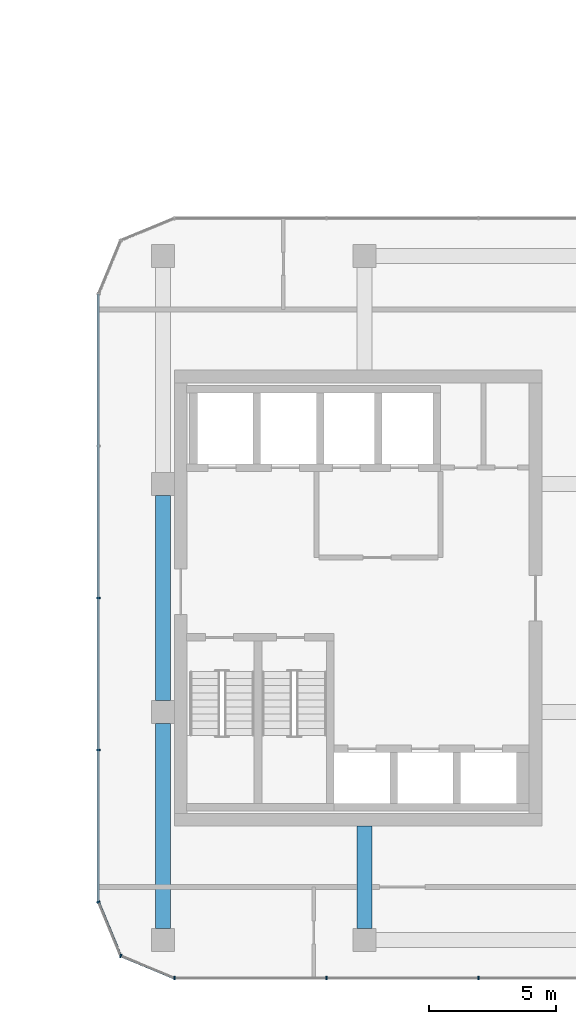
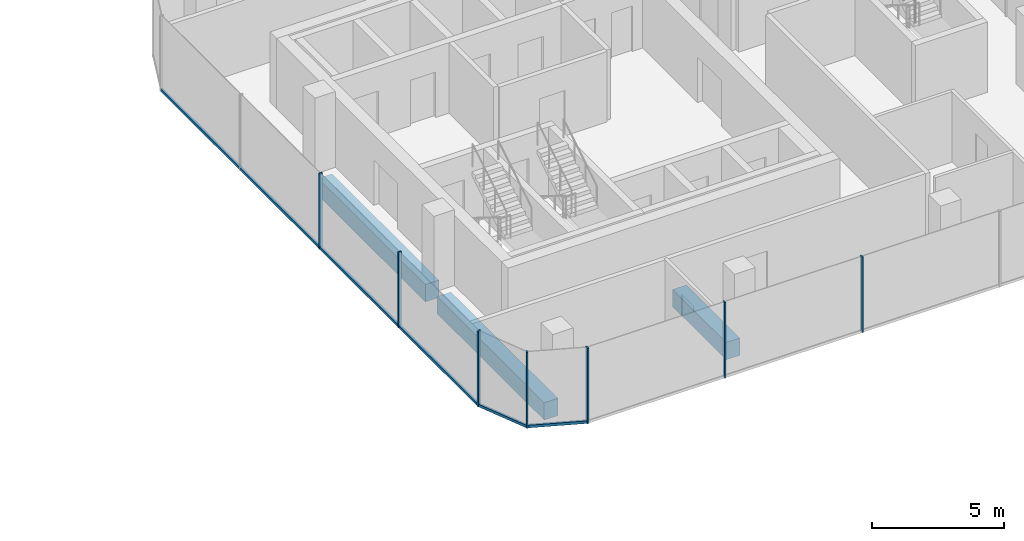
# One storey, part 8 of 24: 10 members, 3 beams, 4 elements without a shape of their own.
"""IFC4 building model written with IfcOpenShell, lengths in metres."""

import ifcopenshell
import ifcopenshell.guid

model = None  # the IFC model being written
_history = None  # IfcOwnerHistory: only IFC2X3 demands one
_inside = {}  # id of a spatial element -> (the spatial element, [elements in it])
_under = {}  # id of a project, library or spatial element -> (it, [spatial elements below it])
_declared = {}  # id of a project -> (the project, [libraries it declares])
_typed = {}  # id of a type object -> (the type object, [elements of that type])
_made_of = {}  # id of a material, layer set ... -> (it, [elements and type objects made of it])


def new_model(schema):
    """Start an empty IFC model of exactly this schema.

    Asked for "IFC4X3", IfcOpenShell would pick the latest addendum, in which some entities
    have other attributes; the version numbers below select the first issue.
    IFC2X3 requires an IfcOwnerHistory on every rooted entity: one is made here for all.
    """
    global model, _history
    if schema == "IFC4X3":
        model = ifcopenshell.file(schema_version=(4, 3, 0, 0))
    else:
        model = ifcopenshell.file(schema=schema)
    _inside.clear()
    _under.clear()
    _declared.clear()
    _typed.clear()
    _made_of.clear()
    _history = None
    if model.schema == "IFC2X3":
        org = make("IfcOrganization", Name="unknown")
        user = make(
            "IfcPersonAndOrganization",
            ThePerson=make("IfcPerson", FamilyName="unknown"),
            TheOrganization=org,
        )
        app = make(
            "IfcApplication",
            ApplicationDeveloper=org,
            Version="unknown",
            ApplicationFullName="unknown",
            ApplicationIdentifier="unknown",
        )
        _history = make(
            "IfcOwnerHistory",
            OwningUser=user,
            OwningApplication=app,
            ChangeAction="ADDED",
            CreationDate=0,
        )
    return model


def make(cls, **values):
    """One entity of the class cls with the attributes given. An attribute that is None is left unset."""
    return model.create_entity(
        cls, **{name: value for name, value in values.items() if value is not None}
    )


def rooted(cls, **values):
    """An entity with a GlobalId (a new one), such as an element, a storey or a relation."""
    return make(cls, GlobalId=ifcopenshell.guid.new(), OwnerHistory=_history, **values)


def si_unit(unit_type, name, prefix=None):
    """IfcSIUnit, for example si_unit("LENGTHUNIT", "METRE", prefix="MILLI")."""
    return make("IfcSIUnit", UnitType=unit_type, Prefix=prefix, Name=name)


def assignment(units):
    """IfcUnitAssignment: the units of a project."""
    return None if units is None else make("IfcUnitAssignment", Units=units)


def point(xyz):
    """IfcCartesianPoint."""
    return None if xyz is None else make("IfcCartesianPoint", Coordinates=xyz)


def direction(xyz):
    """IfcDirection."""
    return None if xyz is None else make("IfcDirection", DirectionRatios=xyz)


def frame(location, z_axis=None, x_axis=None):
    """IfcAxis2Placement3D, a coordinate frame: its origin and axes. An axis left out is left unset."""
    return make(
        "IfcAxis2Placement3D",
        Location=point(location),
        Axis=direction(z_axis),
        RefDirection=direction(x_axis),
    )


def frame_2d(location, x_axis=None):
    """IfcAxis2Placement2D, a coordinate frame in the plane: its origin and x axis."""
    return make(
        "IfcAxis2Placement2D", Location=point(location), RefDirection=direction(x_axis)
    )


def origin():
    """The frame at (0, 0, 0) with its axes left unset."""
    return frame((0.0, 0.0, 0.0))


def origin_2d():
    """The frame at (0, 0) in the plane with its x axis left unset."""
    return frame_2d((0.0, 0.0))


def place(relative_to, where):
    """IfcLocalPlacement: puts the frame where relative to a parent placement (None: the world)."""
    return make(
        "IfcLocalPlacement", PlacementRelTo=relative_to, RelativePlacement=where
    )


def context(
    kind, dimensions, precision=None, world=None, true_north=None, identifier=None
):
    """IfcGeometricRepresentationContext, for example the 3D "Model" context."""
    return make(
        "IfcGeometricRepresentationContext",
        ContextIdentifier=identifier,
        ContextType=kind,
        CoordinateSpaceDimension=dimensions,
        Precision=precision,
        WorldCoordinateSystem=world,
        TrueNorth=true_north,
    )


def subcontext(parent, identifier, kind, view, scale=None):
    """IfcGeometricRepresentationSubContext, for example "Body" below "Model"."""
    return make(
        "IfcGeometricRepresentationSubContext",
        ContextIdentifier=identifier,
        ContextType=kind,
        ParentContext=parent,
        TargetScale=scale,
        TargetView=view,
    )


def project(units=None, contexts=None):
    """IfcProject with its units and contexts."""
    return rooted(
        "IfcProject",
        Name="project",
        RepresentationContexts=contexts,
        UnitsInContext=assignment(units),
    )


def spatial(cls, under=None, at=None, **own):
    """A site, building, storey or space (cls), placed at a placement, below another one or the project."""
    s = rooted(cls, ObjectPlacement=at, **own)
    if under is not None:
        _under.setdefault(under.id(), (under, []))[1].append(s)
    return s


def profile(cls, at=None, kind="AREA", **sizes):
    """A parametric profile (cls). Its sizes go by their IFC names, for example OverallWidth=200.0."""
    return make(cls, ProfileType=kind, Position=at, **sizes)


def rectangle(**sizes):
    """IfcRectangleProfileDef."""
    return profile("IfcRectangleProfileDef", **sizes)


def extrude(swept, where, along, depth):
    """IfcExtrudedAreaSolid: the profile swept, set in the frame where, extruded along a direction by depth."""
    return make(
        "IfcExtrudedAreaSolid",
        SweptArea=swept,
        Position=where,
        ExtrudedDirection=direction(along),
        Depth=depth,
    )


def shape(context_of_items, identifier, shape_type, items):
    """IfcShapeRepresentation: the items that make up one representation, for example the "Body"."""
    return make(
        "IfcShapeRepresentation",
        ContextOfItems=context_of_items,
        RepresentationIdentifier=identifier,
        RepresentationType=shape_type,
        Items=items,
    )


def material(Name=None, Category=None):
    """IfcMaterial."""
    return make("IfcMaterial", Name=Name, Category=Category)


def layer(
    of_material, thickness, ventilated=None, Name=None, Category=None, Priority=None
):
    """IfcMaterialLayer: one layer of a wall or slab, of a material (None: an air gap)."""
    return make(
        "IfcMaterialLayer",
        Material=of_material,
        LayerThickness=thickness,
        IsVentilated=ventilated,
        Name=Name,
        Category=Category,
        Priority=Priority,
    )


def layer_set(layers, Name=None):
    """IfcMaterialLayerSet."""
    return make("IfcMaterialLayerSet", MaterialLayers=layers, LayerSetName=Name)


def material_profile(
    of_material, cross_section, Name=None, Category=None, Priority=None
):
    """IfcMaterialProfile: a cross section and its material."""
    return make(
        "IfcMaterialProfile",
        Name=Name,
        Material=of_material,
        Profile=cross_section,
        Priority=Priority,
        Category=Category,
    )


def profile_set(profiles, Name=None, composite=None):
    """IfcMaterialProfileSet."""
    return make(
        "IfcMaterialProfileSet",
        Name=Name,
        MaterialProfiles=profiles,
        CompositeProfile=composite,
    )


def made_of(thing, what):
    """Note that an element or type object is made of a material, layer set ...; save() writes the relation."""
    if what is not None:
        _made_of.setdefault(what.id(), (what, []))[1].append(thing)
    return thing


def type_object(cls, material=None, **own):
    """A type object (cls), such as IfcWallType, which elements share."""
    return made_of(rooted(cls, **own), material)


def element(
    cls,
    number,
    at=None,
    inside=None,
    cuts=None,
    type_object=None,
    material=None,
    context=None,
    identifier="Body",
    shape_type=None,
    held_by="IfcProductDefinitionShape",
    body=None,
    shapes=None,
    **own,
):
    """One element of the class cls, such as IfcWall. Its Tag is "e" and its number.

    at: its placement. inside: the storey or other place that contains it. cuts: it is an
    opening in that element (IfcRelVoidsElement). A single representation is given by context,
    identifier, shape_type and body (its items); several are given by shapes. held_by: the class
    of the entity that holds the representations. save() writes the other relations.
    """
    e = rooted(cls, Tag="e%d" % number, ObjectPlacement=at, **own)
    if body is not None:
        shapes = [shape(context, identifier, shape_type, body)]
    if shapes is not None:
        e.Representation = make(held_by, Representations=shapes)
    if inside is not None:
        _inside.setdefault(inside.id(), (inside, []))[1].append(e)
    if cuts is not None:
        rooted(
            "IfcRelVoidsElement", RelatingBuildingElement=cuts, RelatedOpeningElement=e
        )
    if type_object is not None:
        _typed.setdefault(type_object.id(), (type_object, []))[1].append(e)
    return made_of(e, material)


def aggregate(whole, parts):
    """IfcRelAggregates: a whole, such as a stair, and the parts it consists of."""
    return rooted("IfcRelAggregates", RelatingObject=whole, RelatedObjects=parts)


def save(model, path):
    """Write the relations noted so far, then the file.

    IfcRelAggregates (storeys below a building ...), IfcRelContainedInSpatialStructure (elements
    in a storey), IfcRelDefinesByType, IfcRelAssociatesMaterial and IfcRelDeclares: one each for
    every whole, place, type object, material and project.
    """
    for whole, parts in _under.values():
        aggregate(whole, parts)
    for where, things in _inside.values():
        rooted(
            "IfcRelContainedInSpatialStructure",
            RelatedElements=things,
            RelatingStructure=where,
        )
    for kind, things in _typed.values():
        rooted("IfcRelDefinesByType", RelatedObjects=things, RelatingType=kind)
    for what, things in _made_of.values():
        rooted("IfcRelAssociatesMaterial", RelatedObjects=things, RelatingMaterial=what)
    for by, libraries in _declared.values():
        rooted("IfcRelDeclares", RelatingContext=by, RelatedDefinitions=libraries)
    model.write(path)


model = new_model("IFC4")

# Units and contexts
model_context = context("Model", 3, precision=1e-05, world=origin(), true_north=direction((0.0, 1.0)))
body_context = subcontext(model_context, "Body", "Model", "MODEL_VIEW")
ifc_project = project(units=[si_unit("LENGTHUNIT", "METRE"), si_unit("AREAUNIT", "SQUARE_METRE"), si_unit("VOLUMEUNIT", "CUBIC_METRE"), si_unit("PLANEANGLEUNIT", "RADIAN"), si_unit("MASSUNIT", "GRAM", prefix="KILO")], contexts=[model_context])

# Site, building, storey
site_placement = place(None, origin())
site = spatial("IfcSite", under=ifc_project, at=site_placement, CompositionType="ELEMENT")
building_placement = place(site_placement, origin())
building = spatial("IfcBuilding", under=site, at=building_placement, Name="Plateau Cross Towers", CompositionType="ELEMENT")
storey_placement = place(building_placement, frame((0.0, 0.0, 47.800048828125)))
storey = spatial("IfcBuildingStorey", under=building, at=storey_placement, Name="L11", CompositionType="ELEMENT", Elevation=47.800048828125)

# Beam
ifc_material_1 = material(Name="Concrete C60/75", Category="concrete")
ifc_material_profile_1 = material_profile(ifc_material_1, rectangle(XDim=0.60009765625, YDim=0.800048828125, at=origin_2d()), Name="RC 600x800")
ifc_profile_set_1 = profile_set([ifc_material_profile_1], Name="Concrete C60/75")
beam_type_1 = type_object("IfcBeamType", Name="Core beam RC 600x800", PredefinedType="BEAM", material=ifc_profile_set_1)
beam_placement = place(storey_placement, frame((82.5, 0.0, -0.650146484375), z_axis=(0.0, -1.0, 0.0), x_axis=(1.0, 0.0, 0.0)))
element("IfcBeam", 1, at=beam_placement, inside=storey, type_object=beam_type_1, Name="B-CB01@L11", PredefinedType="BEAM", context=body_context, shape_type="SweptSolid", body=[
    extrude(rectangle(XDim=0.60009765625, YDim=0.800048828125, at=origin_2d()), origin(), (0.0, 0.0, 1.0), 4.050048828125),
])

# Curtain wall, members
ifc_material_2 = material(Name="Dark low-iron glass", Category="glass")
ifc_layer = layer(ifc_material_2, 0.239990234375)
ifc_layer_set = layer_set([ifc_layer], Name="Dark low-iron glass")
curtain_wall_type = type_object("IfcCurtainWallType", Name="Curtain wall office unitised CW-F", PredefinedType="NOTDEFINED", material=ifc_layer_set)
curtain_wall_1_placement = place(storey_placement, origin())
curtain_wall_1 = element("IfcCurtainWall", 2, at=curtain_wall_1_placement, inside=storey, type_object=curtain_wall_type, Name="ENV/B/L11/B750_-60", PredefinedType="NOTDEFINED")
ifc_material_3 = material(Name="Black anodised aluminium", Category="aluminium")
ifc_material_profile_2 = material_profile(ifc_material_3, rectangle(XDim=0.06005859375, YDim=0.139892578125, at=origin_2d()), Name="MULLION 60x140")
ifc_profile_set_2 = profile_set([ifc_material_profile_2], Name="Black anodised aluminium")
member_type_1 = type_object("IfcMemberType", Name="Mullion 60x140 office unitised", PredefinedType="MULLION", material=ifc_profile_set_2)
member_1_placement = place(storey_placement, frame((75.0, -6.0, -0.25), z_axis=(0.0, 0.0, 1.0), x_axis=(1.0, 0.0, 0.0)))
member_1 = element("IfcMember", 3, at=member_1_placement, type_object=member_type_1, Name="CW-F mullion 1", PredefinedType="MULLION", context=body_context, shape_type="SweptSolid", body=[
    extrude(rectangle(XDim=0.06005859375, YDim=0.139892578125, at=origin_2d()), origin(), (0.0, 0.0, 1.0), 3.5),
])
member_2_placement = place(storey_placement, frame((81.0, -6.0, -0.25), z_axis=(0.0, 0.0, 1.0), x_axis=(1.0, 0.0, 0.0)))
member_2 = element("IfcMember", 4, at=member_2_placement, type_object=member_type_1, Name="CW-F mullion 2", PredefinedType="MULLION", context=body_context, shape_type="SweptSolid", body=[
    extrude(rectangle(XDim=0.06005859375, YDim=0.139892578125, at=origin_2d()), origin(), (0.0, 0.0, 1.0), 3.5),
])
member_3_placement = place(storey_placement, frame((87.0, -6.0, -0.25), z_axis=(0.0, 0.0, 1.0), x_axis=(1.0, 0.0, 0.0)))
member_3 = element("IfcMember", 5, at=member_3_placement, type_object=member_type_1, Name="CW-F mullion 3", PredefinedType="MULLION", context=body_context, shape_type="SweptSolid", body=[
    extrude(rectangle(XDim=0.06005859375, YDim=0.139892578125, at=origin_2d()), origin(), (0.0, 0.0, 1.0), 3.5),
])
aggregate(curtain_wall_1, [member_1, member_2, member_3])

curtain_wall_2_placement = place(storey_placement, origin())
curtain_wall_2 = element("IfcCurtainWall", 6, at=curtain_wall_2_placement, inside=storey, type_object=curtain_wall_type, Name="ENV/B/L11/B720_210", PredefinedType="NOTDEFINED")
member_4_placement = place(storey_placement, frame((72.0, 9.0, -0.25), z_axis=(0.0, 0.0, 1.0), x_axis=(0.0, -1.0, 0.0)))
member_4 = element("IfcMember", 7, at=member_4_placement, type_object=member_type_1, Name="CW-F mullion 3", PredefinedType="MULLION", context=body_context, shape_type="SweptSolid", body=[
    extrude(rectangle(XDim=0.06005859375, YDim=0.139892578125, at=origin_2d()), origin(), (0.0, 0.0, 1.0), 3.5),
])
member_5_placement = place(storey_placement, frame((72.0, 3.0, -0.25), z_axis=(0.0, 0.0, 1.0), x_axis=(0.0, -1.0, 0.0)))
member_5 = element("IfcMember", 8, at=member_5_placement, type_object=member_type_1, Name="CW-F mullion 4", PredefinedType="MULLION", context=body_context, shape_type="SweptSolid", body=[
    extrude(rectangle(XDim=0.06005859375, YDim=0.139892578125, at=origin_2d()), origin(), (0.0, 0.0, 1.0), 3.5),
])

# Curtain wall, member
curtain_wall_3_placement = place(storey_placement, origin())
curtain_wall_3 = element("IfcCurtainWall", 9, at=curtain_wall_3_placement, inside=storey, type_object=curtain_wall_type, Name="ENV/B/L11/B720_-30", PredefinedType="NOTDEFINED")
member_6_placement = place(storey_placement, frame((72.0, -3.0, -0.25), z_axis=(0.0, 0.0, 1.0), x_axis=(0.382683612978, -0.923879457699, 0.0)))
member_6 = element("IfcMember", 10, at=member_6_placement, type_object=member_type_1, Name="CW-F mullion 1", PredefinedType="MULLION", context=body_context, shape_type="SweptSolid", body=[
    extrude(rectangle(XDim=0.06005859375, YDim=0.139892578125, at=origin_2d()), origin(), (0.0, 0.0, 1.0), 3.5),
])

curtain_wall_4_placement = place(storey_placement, origin())
curtain_wall_4 = element("IfcCurtainWall", 11, at=curtain_wall_4_placement, inside=storey, type_object=curtain_wall_type, Name="ENV/B/L11/B729_-51", PredefinedType="NOTDEFINED")
member_7_placement = place(storey_placement, frame((72.878662109375, -5.121337890625, -0.25), z_axis=(0.0, 0.0, 1.0), x_axis=(0.923879457699, -0.382683612978, 0.0)))
member_7 = element("IfcMember", 12, at=member_7_placement, type_object=member_type_1, Name="CW-F mullion 1", PredefinedType="MULLION", context=body_context, shape_type="SweptSolid", body=[
    extrude(rectangle(XDim=0.06005859375, YDim=0.139892578125, at=origin_2d()), origin(), (0.0, 0.0, 1.0), 3.5),
])

# Beams
ifc_material_profile_3 = material_profile(ifc_material_1, rectangle(XDim=0.60009765625, YDim=0.800048828125, at=origin_2d()), Name="RC 600x800")
ifc_profile_set_3 = profile_set([ifc_material_profile_3], Name="Concrete C60/75")
beam_type_2 = type_object("IfcBeamType", Name="Ring beam RC 600x800", PredefinedType="BEAM", material=ifc_profile_set_3)
for number, where, z_axis, x_axis, name in (
    (13, (74.550048828125, 13.050048828125, -0.650146484375), (0.0, -1.0, 0.0), (1.0, 0.0, 0.0), "B-RB09@L11"),
    (14, (74.550048828125, 4.050048828125, -0.650146484375), (0.0, -1.0, 0.0), (1.0, 0.0, 0.0), "B-RB10@L11"),
):
    element("IfcBeam", number, at=place(storey_placement, frame(where, z_axis=z_axis, x_axis=x_axis)), inside=storey, type_object=beam_type_2, Name=name, PredefinedType="BEAM", context=body_context, shape_type="SweptSolid", body=[
        extrude(rectangle(XDim=0.60009765625, YDim=0.800048828125, at=origin_2d()), origin(), (0.0, 0.0, 1.0), 8.10009765625),
    ])

# Member
ifc_material_profile_4 = material_profile(ifc_material_3, rectangle(XDim=0.10009765625, YDim=0.1201171875, at=origin_2d()), Name="TRANSOM 100x120")
ifc_profile_set_4 = profile_set([ifc_material_profile_4], Name="Black anodised aluminium")
member_type_2 = type_object("IfcMemberType", Name="Transom 100x120 office unitised", PredefinedType="USERDEFINED", material=ifc_profile_set_4)
member_8_placement = place(storey_placement, frame((72.0, 21.0, -0.18994140625), z_axis=(0.0, -1.0, 0.0), x_axis=(1.0, 0.0, 0.0)))
member_8 = element("IfcMember", 15, at=member_8_placement, type_object=member_type_2, Name="CW-F transom", ObjectType="TRANSOM", PredefinedType="USERDEFINED", context=body_context, shape_type="SweptSolid", body=[
    extrude(rectangle(XDim=0.10009765625, YDim=0.1201171875, at=origin_2d()), origin(), (0.0, 0.0, 1.0), 24.0),
])

aggregate(curtain_wall_2, [member_4, member_5, member_8])

member_9_placement = place(storey_placement, frame((72.0, -3.0, -0.18994140625), z_axis=(0.382674207535, -0.923883353507, 0.0), x_axis=(0.923883353507, 0.382674207535, 0.0)))
member_9 = element("IfcMember", 16, at=member_9_placement, type_object=member_type_2, Name="CW-F transom", ObjectType="TRANSOM", PredefinedType="USERDEFINED", context=body_context, shape_type="SweptSolid", body=[
    extrude(rectangle(XDim=0.10009765625, YDim=0.1201171875, at=origin_2d()), origin(), (0.0, 0.0, 1.0), 2.296142578125),
])

aggregate(curtain_wall_3, [member_6, member_9])

member_10_placement = place(storey_placement, frame((72.878662109375, -5.121337890625, -0.18994140625), z_axis=(0.923883353507, -0.382674207535, 0.0), x_axis=(0.382674207535, 0.923883353507, 0.0)))
member_10 = element("IfcMember", 17, at=member_10_placement, type_object=member_type_2, Name="CW-F transom", ObjectType="TRANSOM", PredefinedType="USERDEFINED", context=body_context, shape_type="SweptSolid", body=[
    extrude(rectangle(XDim=0.10009765625, YDim=0.1201171875, at=origin_2d()), origin(), (0.0, 0.0, 1.0), 2.296142578125),
])

aggregate(curtain_wall_4, [member_7, member_10])

save(model, "model.ifc")
